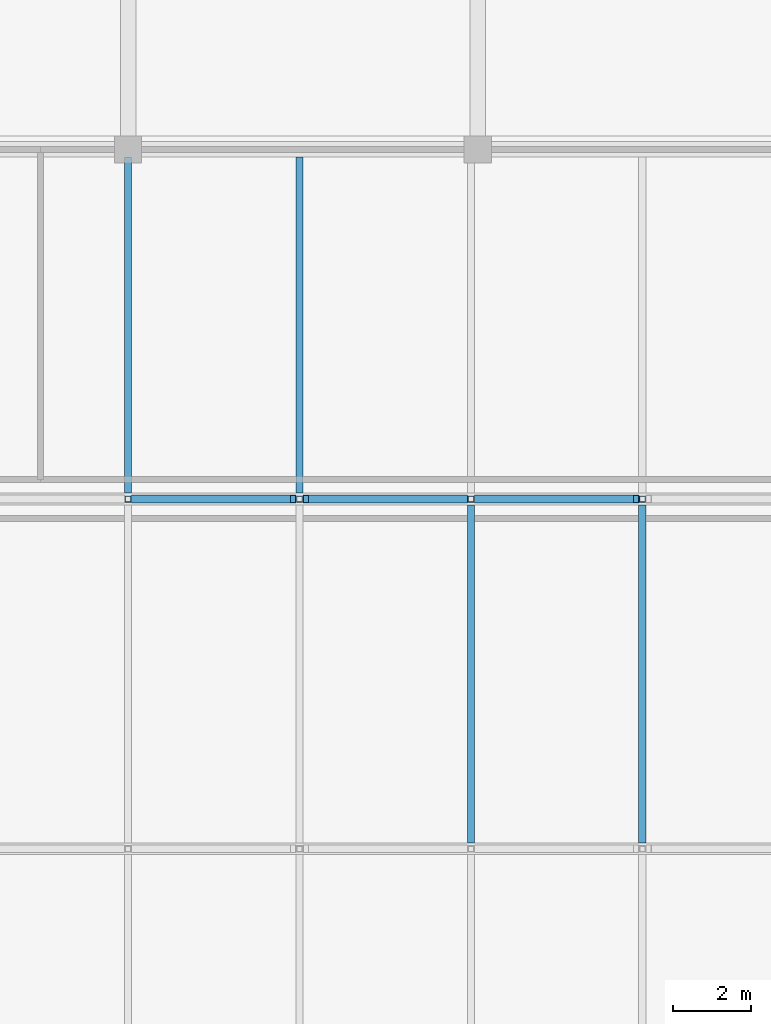
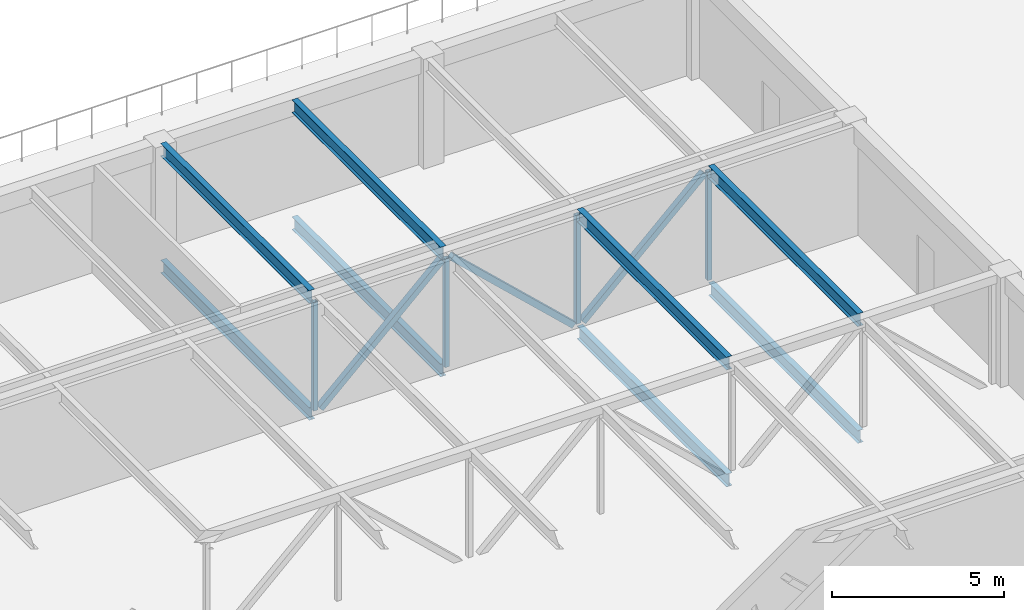
# One storey, part 13 of 30: 8 beams, 7 members.
"""IFC4 building model written with IfcOpenShell, lengths in metres."""

from ifc_helpers import new_model, si_unit, direction, frame, origin, origin_2d, place, context, subcontext, project, spatial, hollow_rectangle, i_section, extrude, material, material_profile, profile_set, type_object, element, save


model = new_model("IFC4")

# Units and contexts
model_context = context("Model", 3, precision=1e-05, world=origin(), true_north=direction((0.0, 1.0)))
body_context = subcontext(model_context, "Body", "Model", "MODEL_VIEW")
ifc_project = project(units=[si_unit("LENGTHUNIT", "METRE"), si_unit("AREAUNIT", "SQUARE_METRE"), si_unit("VOLUMEUNIT", "CUBIC_METRE"), si_unit("PLANEANGLEUNIT", "RADIAN"), si_unit("MASSUNIT", "GRAM", prefix="KILO")], contexts=[model_context])

# Site, building, storey
site_placement = place(None, origin())
site = spatial("IfcSite", under=ifc_project, at=site_placement, CompositionType="ELEMENT")
building_placement = place(site_placement, origin())
building = spatial("IfcBuilding", under=site, at=building_placement, Name="Corbel Stack Research Tower", CompositionType="ELEMENT")
storey_placement = place(building_placement, frame((0.0, 0.0, 19.5)))
storey = spatial("IfcBuildingStorey", under=building, at=storey_placement, Name="L04", CompositionType="ELEMENT", Elevation=19.5)

# Beams
ifc_material_1 = material(Name="Steel S355", Category="steel")
ifc_material_profile_1 = material_profile(ifc_material_1, i_section(OverallWidth=0.18994140625, OverallDepth=0.45703125, WebThickness=0.009033203125, FlangeThickness=0.013916015625, at=origin_2d()), Name="W18x50")
ifc_profile_set_1 = profile_set([ifc_material_profile_1], Name="Steel S355")
beam_type = type_object("IfcBeamType", Name="HB3 steel beam W18x50", PredefinedType="BEAM", material=ifc_profile_set_1)
for number, where, z_axis, x_axis, name in (
    (1, (77.77490234375, 0.152587890625, -0.478515625), (0.0, 1.0, 0.0), (-1.0, 0.0, 0.0), "Steel floor beam L04 bay 3 line 6"),
    (2, (82.1875, 0.152587890625, -0.478515625), (0.0, 1.0, 0.0), (-1.0, 0.0, 0.0), "Steel floor beam L04 bay 3 line 7"),
):
    element("IfcBeam", number, at=place(storey_placement, frame(where, z_axis=z_axis, x_axis=x_axis)), inside=storey, type_object=beam_type, Name=name, PredefinedType="BEAM", context=body_context, shape_type="SweptSolid", body=[
        extrude(i_section(OverallWidth=0.18994140625, OverallDepth=0.45703125, WebThickness=0.009033203125, FlangeThickness=0.013916015625, at=origin_2d()), origin(), (0.0, 0.0, 1.0), 8.69482421875),
    ])
for number, where, z_axis, x_axis, name in (
    (3, (68.949951171875, 9.152587890625, -0.478515625), (0.0, 1.0, 0.0), (-1.0, 0.0, 0.0), "Steel floor beam L04 bay 4 line 4"),
    (4, (73.362548828125, 9.152587890625, -0.478515625), (0.0, 1.0, 0.0), (-1.0, 0.0, 0.0), "Steel floor beam L04 bay 4 line 5"),
):
    element("IfcBeam", number, at=place(storey_placement, frame(where, z_axis=z_axis, x_axis=x_axis)), inside=storey, type_object=beam_type, Name=name, PredefinedType="BEAM", context=body_context, shape_type="SweptSolid", body=[
        extrude(i_section(OverallWidth=0.18994140625, OverallDepth=0.45703125, WebThickness=0.009033203125, FlangeThickness=0.013916015625, at=origin_2d()), origin(), (0.0, 0.0, 1.0), 8.6474609375),
    ])
for number, where, z_axis, x_axis, name in (
    (5, (77.77490234375, 0.152587890625, 3.67138671875), (0.0, 1.0, 0.0), (-1.0, 0.0, 0.0), "Steel floor beam R bay 3 line 6"),
    (6, (82.1875, 0.152587890625, 3.67138671875), (0.0, 1.0, 0.0), (-1.0, 0.0, 0.0), "Steel floor beam R bay 3 line 7"),
):
    element("IfcBeam", number, at=place(storey_placement, frame(where, z_axis=z_axis, x_axis=x_axis)), inside=storey, type_object=beam_type, Name=name, PredefinedType="BEAM", context=body_context, shape_type="SweptSolid", body=[
        extrude(i_section(OverallWidth=0.18994140625, OverallDepth=0.45703125, WebThickness=0.009033203125, FlangeThickness=0.013916015625, at=origin_2d()), origin(), (0.0, 0.0, 1.0), 8.69482421875),
    ])
for number, where, z_axis, x_axis, name in (
    (7, (68.949951171875, 9.152587890625, 3.67138671875), (0.0, 1.0, 0.0), (-1.0, 0.0, 0.0), "Steel floor beam R bay 4 line 4"),
    (8, (73.362548828125, 9.152587890625, 3.67138671875), (0.0, 1.0, 0.0), (-1.0, 0.0, 0.0), "Steel floor beam R bay 4 line 5"),
):
    element("IfcBeam", number, at=place(storey_placement, frame(where, z_axis=z_axis, x_axis=x_axis)), inside=storey, type_object=beam_type, Name=name, PredefinedType="BEAM", context=body_context, shape_type="SweptSolid", body=[
        extrude(i_section(OverallWidth=0.18994140625, OverallDepth=0.45703125, WebThickness=0.009033203125, FlangeThickness=0.013916015625, at=origin_2d()), origin(), (0.0, 0.0, 1.0), 8.6474609375),
    ])

# Members
ifc_material_2 = material(Name="Steel S355", Category="steel")
ifc_material_profile_2 = material_profile(ifc_material_2, hollow_rectangle(XDim=0.202880859375, YDim=0.202880859375, WallThickness=0.0087890625, at=origin_2d()), Name="HSS8x8x3/8")
ifc_profile_set_2 = profile_set([ifc_material_profile_2], Name="Steel S355")
member_type_1 = type_object("IfcMemberType", Name="HT2 truss diagonal HSS8x8x3/8", PredefinedType="BRACE", material=ifc_profile_set_2)
for number, where, z_axis, x_axis, name in (
    (9, (69.112060546875, 9.0, -0.25), (0.728459187547, 0.0, 0.685089200089), (0.0, 1.0, 0.0), "Truss TB3 diagonal 5"),
    (10, (73.524658203125, 9.0, 3.594970703125), (0.728438769744, 0.0, -0.685110909805), (0.0, 1.0, 0.0), "Truss TB3 diagonal 6"),
    (11, (77.937255859375, 9.0, -0.25), (0.728438769744, 0.0, 0.685110909805), (0.0, 1.0, 0.0), "Truss TB3 diagonal 7"),
):
    element("IfcMember", number, at=place(storey_placement, frame(where, z_axis=z_axis, x_axis=x_axis)), inside=storey, type_object=member_type_1, Name=name, PredefinedType="BRACE", context=body_context, shape_type="SweptSolid", body=[
        extrude(hollow_rectangle(XDim=0.202880859375, YDim=0.202880859375, WallThickness=0.0087890625, at=origin_2d()), origin(), (0.0, 0.0, 1.0), 5.6123046875),
    ])
ifc_material_3 = material(Name="Steel S355", Category="steel")
ifc_material_profile_3 = material_profile(ifc_material_3, hollow_rectangle(XDim=0.152099609375, YDim=0.152099609375, WallThickness=0.005859375, at=origin_2d()), Name="HSS6x6x1/4")
ifc_profile_set_3 = profile_set([ifc_material_profile_3], Name="Steel S355")
member_type_2 = type_object("IfcMemberType", Name="HT3 truss post HSS6x6x1/4", PredefinedType="POST", material=ifc_profile_set_3)
for number, where, z_axis, x_axis, name in (
    (12, (68.949951171875, 9.0, -0.25), (0.0, 0.0, 1.0), (1.0, 0.0, 0.0), "Truss TB3 post 5"),
    (13, (73.362548828125, 9.0, -0.25), (0.0, 0.0, 1.0), (1.0, 0.0, 0.0), "Truss TB3 post 6"),
    (14, (77.77490234375, 9.0, -0.25), (0.0, 0.0, 1.0), (1.0, 0.0, 0.0), "Truss TB3 post 7"),
    (15, (82.1875, 9.0, -0.25), (0.0, 0.0, 1.0), (1.0, 0.0, 0.0), "Truss TB3 post 8"),
):
    element("IfcMember", number, at=place(storey_placement, frame(where, z_axis=z_axis, x_axis=x_axis)), inside=storey, type_object=member_type_2, Name=name, PredefinedType="POST", context=body_context, shape_type="SweptSolid", body=[
        extrude(hollow_rectangle(XDim=0.152099609375, YDim=0.152099609375, WallThickness=0.005859375, at=origin_2d()), origin(), (0.0, 0.0, 1.0), 3.844970703125),
    ])

save(model, "model.ifc")
